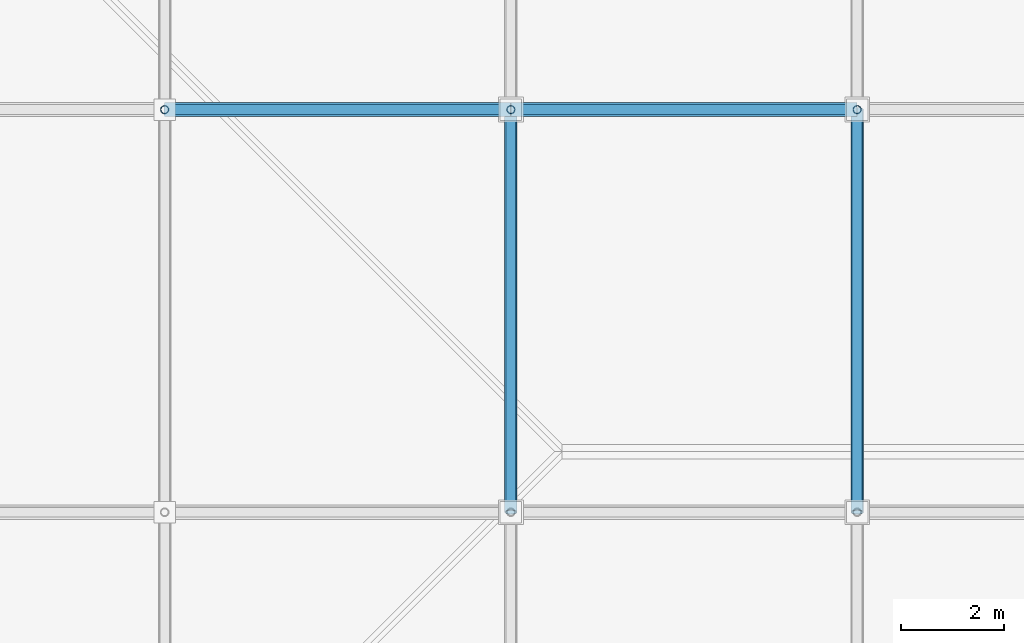
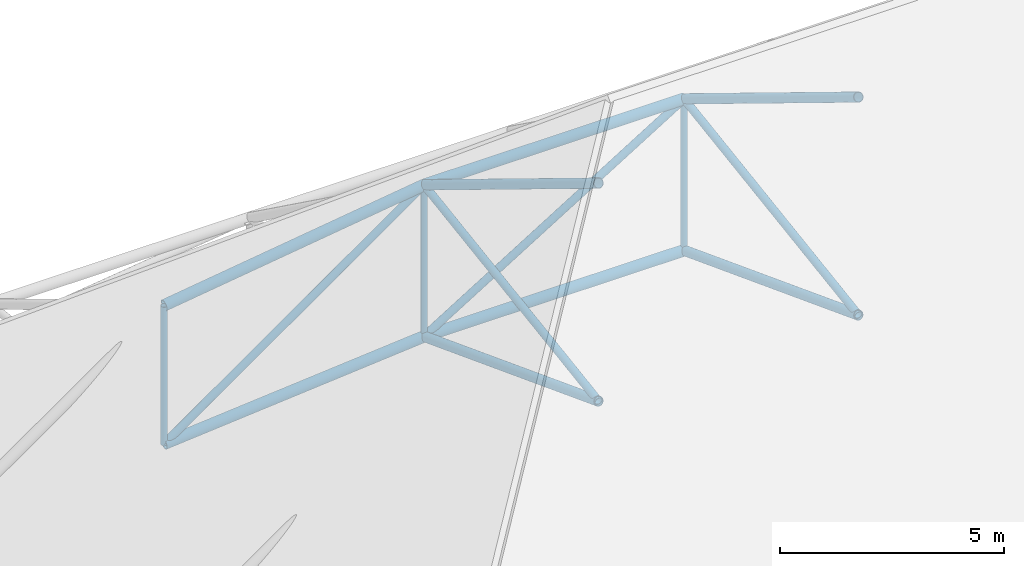
# One storey, part 27 of 77: 15 members.
"""IFC4 building model written with IfcOpenShell, lengths in metres."""

from ifc_helpers import new_model, si_unit, direction, frame, origin, origin_2d, place, context, subcontext, project, spatial, hollow_circle, extrude, material, material_profile, profile_set, type_object, element, save


model = new_model("IFC4")

# Units and contexts
model_context = context("Model", 3, precision=1e-05, world=origin(), true_north=direction((0.0, 1.0)))
body_context = subcontext(model_context, "Body", "Model", "MODEL_VIEW")
ifc_project = project(units=[si_unit("LENGTHUNIT", "METRE"), si_unit("AREAUNIT", "SQUARE_METRE"), si_unit("VOLUMEUNIT", "CUBIC_METRE"), si_unit("PLANEANGLEUNIT", "RADIAN"), si_unit("MASSUNIT", "GRAM", prefix="KILO")], contexts=[model_context])

# Site, building, storey
site_placement = place(None, origin())
site = spatial("IfcSite", under=ifc_project, at=site_placement, CompositionType="ELEMENT")
building_placement = place(site_placement, origin())
building = spatial("IfcBuilding", under=site, at=building_placement, Name="Nabrawat Pavilion Hospital", CompositionType="ELEMENT")
storey_placement = place(building_placement, frame((0.0, 0.0, 14.85009765625)))
storey = spatial("IfcBuildingStorey", under=building, at=storey_placement, Name="L03", CompositionType="ELEMENT", Elevation=14.85009765625)

# Members
ifc_material = material(Name="Steel S355", Category="steel")
ifc_material_profile_1 = material_profile(ifc_material, hollow_circle(Radius=0.136474609375, WallThickness=0.012451171875, at=origin_2d()), Name="CHS 273x12.5")
ifc_profile_set_1 = profile_set([ifc_material_profile_1], Name="Steel S355")
member_type_1 = type_object("IfcMemberType", Name="Space Frame Primary Chord CHS 273x12.5", PredefinedType="CHORD", material=ifc_profile_set_1)
member_1_placement = place(storey_placement, frame((65.6279296875, 31.199951171875, 5.493408203125), z_axis=(0.990335014722, 0.0, 0.13869592141), x_axis=(0.0, 1.0, 0.0)))
element("IfcMember", 1, at=member_1_placement, inside=storey, type_object=member_type_1, Name="Space Frame Chord Top X 0040", PredefinedType="CHORD", context=body_context, shape_type="SweptSolid", body=[
    extrude(hollow_circle(Radius=0.136474609375, WallThickness=0.012451171875, at=origin_2d()), origin(), (0.0, 0.0, 1.0), 6.7734375),
])
member_2_placement = place(storey_placement, frame((65.6279296875, 31.199951171875, 1.716064453125), z_axis=(0.996250649616, 0.0, 0.086513832071), x_axis=(0.0, 1.0, 0.0)))
element("IfcMember", 2, at=member_2_placement, inside=storey, type_object=member_type_1, Name="Space Frame Chord Bottom X 0041", PredefinedType="CHORD", context=body_context, shape_type="SweptSolid", body=[
    extrude(hollow_circle(Radius=0.136474609375, WallThickness=0.012451171875, at=origin_2d()), origin(), (0.0, 0.0, 1.0), 6.733154296875),
])
for number, where, z_axis, x_axis, name in (
    (3, (72.3359375, 31.199951171875, 6.432861328125), (1.0, 0.0, 0.0), (0.0, 1.0, 0.0), "Space Frame Chord Top X 0065"),
    (4, (72.3359375, 31.199951171875, 2.298583984375), (1.0, 0.0, 0.0), (0.0, 1.0, 0.0), "Space Frame Chord Bottom X 0066"),
):
    element("IfcMember", number, at=place(storey_placement, frame(where, z_axis=z_axis, x_axis=x_axis)), inside=storey, type_object=member_type_1, Name=name, PredefinedType="CHORD", context=body_context, shape_type="SweptSolid", body=[
        extrude(hollow_circle(Radius=0.136474609375, WallThickness=0.012451171875, at=origin_2d()), origin(), (0.0, 0.0, 1.0), 6.7080078125),
    ])
ifc_material_profile_2 = material_profile(ifc_material, hollow_circle(Radius=0.096923828125, WallThickness=0.010009765625, at=origin_2d()), Name="CHS 193.7x10")
ifc_profile_set_2 = profile_set([ifc_material_profile_2], Name="Steel S355")
member_type_2 = type_object("IfcMemberType", Name="Space Frame Primary Diagonal CHS 193.7x10", PredefinedType="BRACE", material=ifc_profile_set_2)
member_3_placement = place(storey_placement, frame((65.6279296875, 31.199951171875, 1.716064453125), z_axis=(0.818016025604, 0.0, 0.575195429272), x_axis=(0.0, 1.0, 0.0)))
element("IfcMember", 5, at=member_3_placement, inside=storey, type_object=member_type_2, Name="Space Frame Diagonal Web X 0045", PredefinedType="BRACE", context=body_context, shape_type="SweptSolid", body=[
    extrude(hollow_circle(Radius=0.096923828125, WallThickness=0.010009765625, at=origin_2d()), origin(), (0.0, 0.0, 1.0), 8.200439453125),
])
member_4_placement = place(storey_placement, frame((72.3359375, 23.39990234375, 5.260498046875), z_axis=(0.0, 0.988892492278, 0.148632562769), x_axis=(-1.0, 0.0, 0.0)))
element("IfcMember", 6, at=member_4_placement, inside=storey, type_object=member_type_2, Name="Space Frame Diagonal Web Y 0064", PredefinedType="BRACE", context=body_context, shape_type="SweptSolid", body=[
    extrude(hollow_circle(Radius=0.096923828125, WallThickness=0.010009765625, at=origin_2d()), origin(), (0.0, 0.0, 1.0), 7.8876953125),
])
member_5_placement = place(storey_placement, frame((72.3359375, 31.199951171875, 2.298583984375), z_axis=(0.851302807991, 0.0, 0.524674688838), x_axis=(0.0, 1.0, 0.0)))
element("IfcMember", 7, at=member_5_placement, inside=storey, type_object=member_type_2, Name="Space Frame Diagonal Web X 0070", PredefinedType="BRACE", context=body_context, shape_type="SweptSolid", body=[
    extrude(hollow_circle(Radius=0.096923828125, WallThickness=0.010009765625, at=origin_2d()), origin(), (0.0, 0.0, 1.0), 7.879638671875),
])
member_6_placement = place(storey_placement, frame((79.0439453125, 23.39990234375, 5.260498046875), z_axis=(0.0, 0.988892492278, 0.148632562769), x_axis=(-1.0, 0.0, 0.0)))
element("IfcMember", 8, at=member_6_placement, inside=storey, type_object=member_type_2, Name="Space Frame Diagonal Web Y 0089", PredefinedType="BRACE", context=body_context, shape_type="SweptSolid", body=[
    extrude(hollow_circle(Radius=0.096923828125, WallThickness=0.010009765625, at=origin_2d()), origin(), (0.0, 0.0, 1.0), 7.8876953125),
])
ifc_material_profile_3 = material_profile(ifc_material, hollow_circle(Radius=0.122314453125, WallThickness=0.012451171875, at=origin_2d()), Name="CHS 244.5x12.5")
ifc_profile_set_3 = profile_set([ifc_material_profile_3], Name="Steel S355")
member_type_3 = type_object("IfcMemberType", Name="Space Frame Transverse Chord CHS 244.5x12.5", PredefinedType="CHORD", material=ifc_profile_set_3)
member_7_placement = place(storey_placement, frame((72.3359375, 23.39990234375, 11.2099609375), z_axis=(0.0, 0.852775367849, -0.522277868562), x_axis=(-1.0, 0.0, 0.0)))
element("IfcMember", 9, at=member_7_placement, inside=storey, type_object=member_type_3, Name="Space Frame Chord Top Y 0060", PredefinedType="CHORD", context=body_context, shape_type="SweptSolid", body=[
    extrude(hollow_circle(Radius=0.122314453125, WallThickness=0.012451171875, at=origin_2d()), origin(), (0.0, 0.0, 1.0), 9.146728515625),
])
member_8_placement = place(storey_placement, frame((72.3359375, 23.39990234375, 5.260498046875), z_axis=(0.0, 0.934867308635, -0.354997345406), x_axis=(-1.0, 0.0, 0.0)))
element("IfcMember", 10, at=member_8_placement, inside=storey, type_object=member_type_3, Name="Space Frame Chord Bottom Y 0061", PredefinedType="CHORD", context=body_context, shape_type="SweptSolid", body=[
    extrude(hollow_circle(Radius=0.122314453125, WallThickness=0.012451171875, at=origin_2d()), origin(), (0.0, 0.0, 1.0), 8.343505859375),
])
member_9_placement = place(storey_placement, frame((79.0439453125, 23.39990234375, 11.2099609375), z_axis=(0.0, 0.852775367849, -0.522277868562), x_axis=(-1.0, 0.0, 0.0)))
element("IfcMember", 11, at=member_9_placement, inside=storey, type_object=member_type_3, Name="Space Frame Chord Top Y 0085", PredefinedType="CHORD", context=body_context, shape_type="SweptSolid", body=[
    extrude(hollow_circle(Radius=0.122314453125, WallThickness=0.012451171875, at=origin_2d()), origin(), (0.0, 0.0, 1.0), 9.146728515625),
])
member_10_placement = place(storey_placement, frame((79.0439453125, 23.39990234375, 5.260498046875), z_axis=(0.0, 0.934867308635, -0.354997345406), x_axis=(-1.0, 0.0, 0.0)))
element("IfcMember", 12, at=member_10_placement, inside=storey, type_object=member_type_3, Name="Space Frame Chord Bottom Y 0086", PredefinedType="CHORD", context=body_context, shape_type="SweptSolid", body=[
    extrude(hollow_circle(Radius=0.122314453125, WallThickness=0.012451171875, at=origin_2d()), origin(), (0.0, 0.0, 1.0), 8.343505859375),
])
ifc_material_profile_4 = material_profile(ifc_material, hollow_circle(Radius=0.07958984375, WallThickness=0.008056640625, at=origin_2d()), Name="CHS 159x8")
ifc_profile_set_4 = profile_set([ifc_material_profile_4], Name="Steel S355")
member_type_4 = type_object("IfcMemberType", Name="Space Frame Vertical Web Post CHS 159x8", PredefinedType="BRACE", material=ifc_profile_set_4)
member_11_placement = place(storey_placement, frame((65.6279296875, 31.199951171875, 1.716064453125), z_axis=(0.0, 0.0, 1.0), x_axis=(1.0, 0.0, 0.0)))
element("IfcMember", 13, at=member_11_placement, inside=storey, type_object=member_type_4, Name="Space Frame Diagonal Post 0044", PredefinedType="BRACE", context=body_context, shape_type="SweptSolid", body=[
    extrude(hollow_circle(Radius=0.07958984375, WallThickness=0.008056640625, at=origin_2d()), origin(), (0.0, 0.0, 1.0), 3.77734375),
])
for number, where, z_axis, x_axis, name in (
    (14, (72.3359375, 31.199951171875, 2.298583984375), (0.0, 0.0, 1.0), (1.0, 0.0, 0.0), "Space Frame Diagonal Post 0069"),
    (15, (79.0439453125, 31.199951171875, 2.298583984375), (0.0, 0.0, 1.0), (1.0, 0.0, 0.0), "Space Frame Diagonal Post 0094"),
):
    element("IfcMember", number, at=place(storey_placement, frame(where, z_axis=z_axis, x_axis=x_axis)), inside=storey, type_object=member_type_4, Name=name, PredefinedType="BRACE", context=body_context, shape_type="SweptSolid", body=[
        extrude(hollow_circle(Radius=0.07958984375, WallThickness=0.008056640625, at=origin_2d()), origin(), (0.0, 0.0, 1.0), 4.13427734375),
    ])

save(model, "model.ifc")
